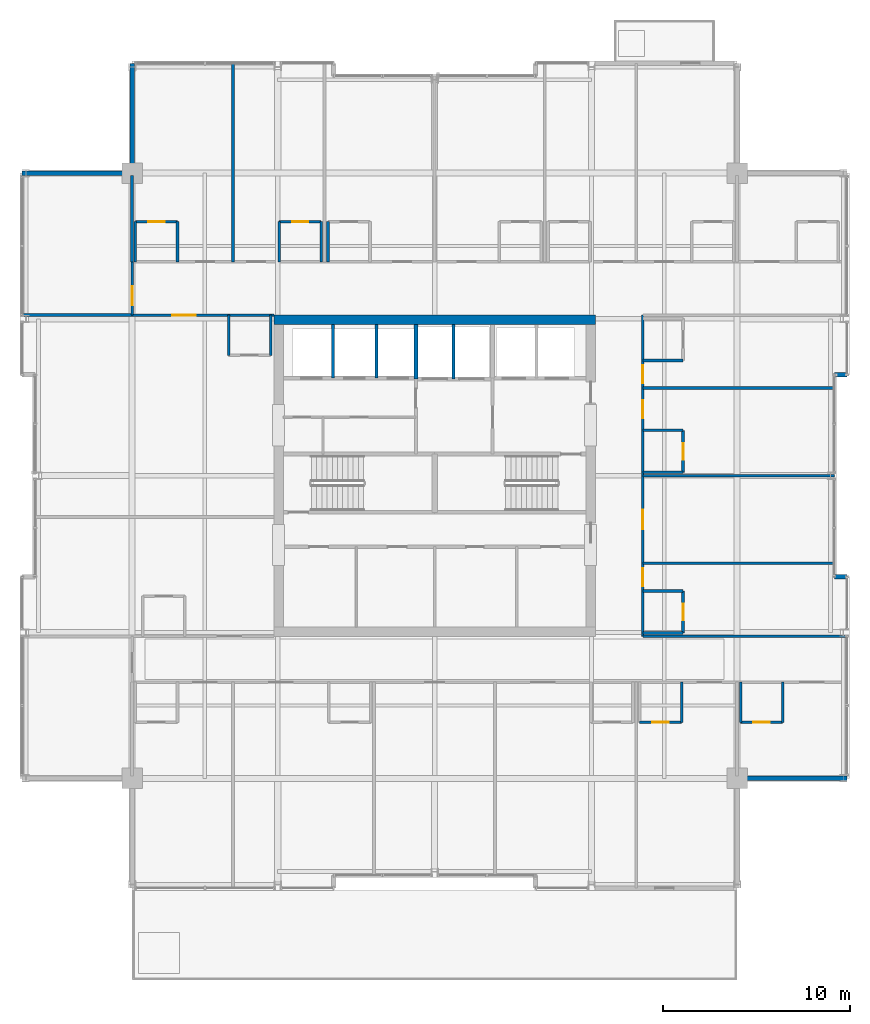
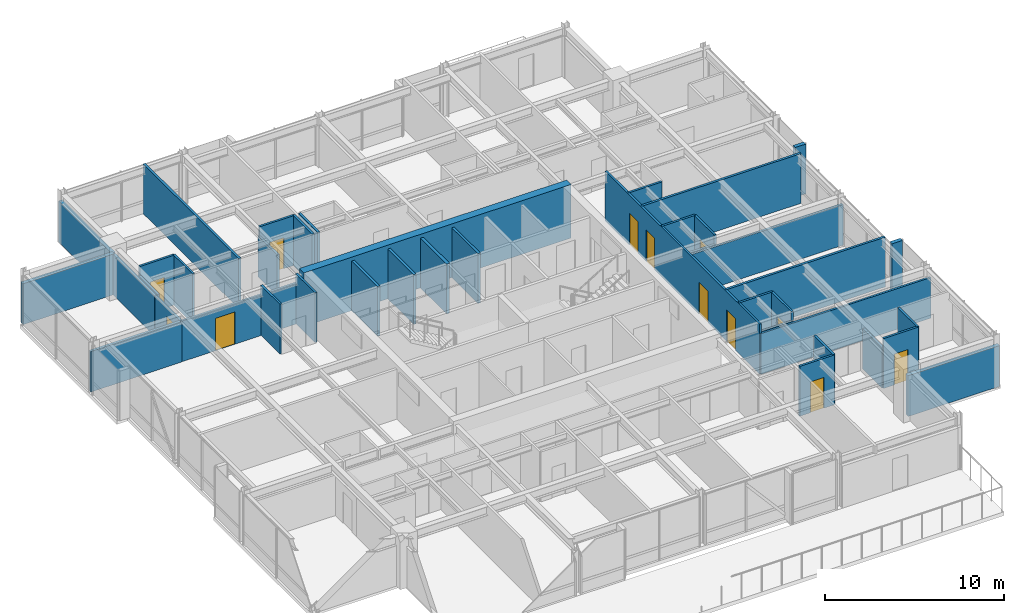
# One storey, part 27 of 32: 41 walls, 12 doors, 12 openings.
"""IFC4 building model written with IfcOpenShell, lengths in metres."""

from ifc_helpers import new_model, si_unit, direction, frame, frame_2d, origin, place, context, subcontext, project, spatial, rectangle, extrude, material, layer, layer_set, type_object, element, fill, save


model = new_model("IFC4")

# Units and contexts
model_context = context("Model", 3, precision=1e-05, world=origin(), true_north=direction((0.0, 1.0)))
body_context = subcontext(model_context, "Body", "Model", "MODEL_VIEW")
ifc_project = project(units=[si_unit("LENGTHUNIT", "METRE"), si_unit("AREAUNIT", "SQUARE_METRE"), si_unit("VOLUMEUNIT", "CUBIC_METRE"), si_unit("PLANEANGLEUNIT", "RADIAN"), si_unit("MASSUNIT", "GRAM", prefix="KILO")], contexts=[model_context])

# Site, building, storey
site_placement = place(None, origin())
site = spatial("IfcSite", under=ifc_project, at=site_placement, CompositionType="ELEMENT")
building_placement = place(site_placement, origin())
building = spatial("IfcBuilding", under=site, at=building_placement, Name="Drelvath Grand Hotel", CompositionType="ELEMENT")
storey_placement = place(building_placement, frame((0.0, 0.0, 265.0)))
storey = spatial("IfcBuildingStorey", under=building, at=storey_placement, Name="L69", CompositionType="ELEMENT", Elevation=265.0)

# Walls
ifc_material_1 = material(Name="Concrete C40/50", Category="concrete")
ifc_layer_1 = layer(ifc_material_1, 0.199951171875)
ifc_layer_set_1 = layer_set([ifc_layer_1], Name="Concrete C40/50")
wall_type_1 = type_object("IfcWallType", Name="Core Hoistway Fire Wall 200", PredefinedType="SOLIDWALL", material=ifc_layer_set_1)
wall_1_placement = place(storey_placement, frame((-1.0, 32.179931640625, 0.0), z_axis=(0.0, 0.0, 1.0), x_axis=(0.0, 1.0, 0.0)))
element("IfcWall", 1, at=wall_1_placement, inside=storey, type_object=wall_type_1, Name="L69 Service Lift West Wall", PredefinedType="SOLIDWALL", context=body_context, shape_type="SweptSolid", body=[
    extrude(rectangle(XDim=2.920166015625, YDim=0.199951171875, at=frame_2d((1.4599609375, 0.0))), origin(), (0.0, 0.0, 1.0), 3.389892578125),
])
ifc_material_2 = material(Name="Gypsum Fireboard Partition")
ifc_layer_2 = layer(ifc_material_2, 0.1650390625)
ifc_layer_set_2 = layer_set([ifc_layer_2], Name="Gypsum Fireboard Partition")
wall_type_2 = type_object("IfcWallType", Name="Core Shaft Partition 165", PredefinedType="PARTITIONING", material=ifc_layer_set_2)
wall_2_placement = place(storey_placement, frame((1.0, 32.179931640625, 0.0), z_axis=(0.0, 0.0, 1.0), x_axis=(0.0, 1.0, 0.0)))
element("IfcWall", 2, at=wall_2_placement, inside=storey, type_object=wall_type_2, Name="L69 Service Lift Divider", PredefinedType="PARTITIONING", context=body_context, shape_type="SweptSolid", body=[
    extrude(rectangle(XDim=2.920166015625, YDim=0.1650390625, at=frame_2d((1.4599609375, 0.0))), origin(), (0.0, 0.0, 1.0), 3.389892578125),
])
for number, where, z_axis, x_axis, name in (
    (3, (-5.43994140625, 32.219970703125, 0.0), (0.0, 0.0, 1.0), (0.0, 1.0, 0.0), "L69 Lift PE-7/8 Divider"),
    (4, (-3.1201171875, 32.219970703125, 0.0), (0.0, 0.0, 1.0), (0.0, 1.0, 0.0), "L69 Lift PE-8/9 Divider"),
):
    element("IfcWall", number, at=place(storey_placement, frame(where, z_axis=z_axis, x_axis=x_axis)), inside=storey, type_object=wall_type_2, Name=name, PredefinedType="PARTITIONING", context=body_context, shape_type="SweptSolid", body=[
        extrude(rectangle(XDim=2.880126953125, YDim=0.1650390625, at=frame_2d((1.43994140625, 0.0))), origin(), (0.0, 0.0, 1.0), 3.389892578125),
    ])
ifc_layer_3 = layer(ifc_material_2, 0.135009765625)
ifc_layer_set_3 = layer_set([ifc_layer_3], Name="Gypsum Fireboard Partition")
wall_type_3 = type_object("IfcWallType", Name="Corridor Fire Barrier Wall 135", PredefinedType="PARTITIONING", material=ifc_layer_set_3)
wall_3_placement = place(storey_placement, frame((11.14990234375, 18.39990234375, 0.0), z_axis=(0.0, 0.0, 1.0), x_axis=(1.0, 0.0, 0.0)))
element("IfcWall", 5, at=wall_3_placement, inside=storey, type_object=wall_type_3, Name="L69 South Gallery Inner East Wall", PredefinedType="PARTITIONING", context=body_context, shape_type="SweptSolid", body=[
    extrude(rectangle(XDim=10.93017578125, YDim=0.135009765625, at=frame_2d((5.465087890625, 0.0))), origin(), (0.0, 0.0, 1.0), 2.767333984375),
])

# Wall, opening, door
wall_4_placement = place(storey_placement, frame((-16.199951171875, 35.60009765625, 0.0), z_axis=(0.0, 0.0, 1.0), x_axis=(1.0, 0.0, 0.0)))
wall_4 = element("IfcWall", 6, at=wall_4_placement, inside=storey, type_object=wall_type_3, Name="L69 North Gallery Inner West Wall", PredefinedType="PARTITIONING", context=body_context, shape_type="SweptSolid", body=[
    extrude(rectangle(XDim=7.599853515625, YDim=0.135009765625, at=frame_2d((3.7998046875, 0.0))), origin(), (0.0, 0.0, 1.0), 2.767333984375),
])
opening_1_placement = place(wall_4_placement, frame((2.155029296875, 0.0, 0.0)))
opening_1 = element("IfcOpeningElement", 7, at=opening_1_placement, cuts=wall_4, Name="Opening D-T5G1-057", PredefinedType="OPENING", context=body_context, shape_type="SweptSolid", body=[
    extrude(rectangle(XDim=1.260009765625, YDim=2.199951171875, at=frame_2d((0.6298828125, 1.10009765625))), frame((0.0, 0.077392578125, 0.0), z_axis=(0.0, -1.0, 0.0), x_axis=(1.0, 0.0, 0.0)), (0.0, 0.0, 1.0), 0.155029296875),
])
ifc_material_3 = material(Name="Hardwood Walnut Timber", Category="wood")
door_type_1 = type_object("IfcDoorType", Name="Suite Entrance Fire Door 1260x2200", OperationType="NOTDEFINED", PredefinedType="DOOR", material=ifc_material_3)
door_1_placement = place(opening_1_placement, origin())
door_1 = element("IfcDoor", 8, at=door_1_placement, inside=storey, type_object=door_type_1, Name="L69 Royal Suite Entry Door", OperationType="SINGLE_SWING_RIGHT", OverallHeight=2.199951171875, OverallWidth=1.260009765625, PredefinedType="DOOR", context=body_context, shape_type="SweptSolid", body=[
    extrude(rectangle(XDim=1.260009765625, YDim=2.199951171875, at=frame_2d((0.6298828125, 1.10009765625))), frame((0.0, 0.02490234375, 0.0), z_axis=(0.0, -1.0, 0.0), x_axis=(1.0, 0.0, 0.0)), (0.0, 0.0, 1.0), 0.050048828125),
])
fill(opening_1, door_1)

# Wall, openings, doors
wall_5_placement = place(storey_placement, frame((11.14990234375, 18.39990234375, 0.0), z_axis=(0.0, 0.0, 1.0), x_axis=(0.0, 1.0, 0.0)))
wall_5 = element("IfcWall", 9, at=wall_5_placement, inside=storey, type_object=wall_type_3, Name="L69 East Gallery Link Wall", PredefinedType="PARTITIONING", context=body_context, shape_type="SweptSolid", body=[
    extrude(rectangle(XDim=17.2001953125, YDim=0.135009765625, at=frame_2d((8.60009765625, 0.0))), origin(), (0.0, 0.0, 1.0), 3.389892578125),
])
opening_2_placement = place(wall_5_placement, frame((2.689453125, 0.0, 0.0)))
opening_2 = element("IfcOpeningElement", 10, at=opening_2_placement, cuts=wall_5, Name="Opening D-T5G1-048", PredefinedType="OPENING", context=body_context, shape_type="SweptSolid", body=[
    extrude(rectangle(XDim=0.9599609375, YDim=2.14990234375, at=frame_2d((0.47998046875, 1.074951171875))), frame((0.0, 0.077392578125, 0.0), z_axis=(0.0, -1.0, 0.0), x_axis=(1.0, 0.0, 0.0)), (0.0, 0.0, 1.0), 0.155029296875),
])
opening_3_placement = place(wall_5_placement, frame((5.74462890625, 0.0, 0.0)))
opening_3 = element("IfcOpeningElement", 11, at=opening_3_placement, cuts=wall_5, Name="Opening D-T5G1-049", PredefinedType="OPENING", context=body_context, shape_type="SweptSolid", body=[
    extrude(rectangle(XDim=1.02001953125, YDim=2.14990234375, at=frame_2d((0.510009765625, 1.074951171875))), frame((0.0, 0.077392578125, 0.0), z_axis=(0.0, -1.0, 0.0), x_axis=(1.0, 0.0, 0.0)), (0.0, 0.0, 1.0), 0.155029296875),
])
opening_4_placement = place(wall_5_placement, frame((11.680419921875, 0.0, 0.0)))
opening_4 = element("IfcOpeningElement", 12, at=opening_4_placement, cuts=wall_5, Name="Opening D-T5G1-051", PredefinedType="OPENING", context=body_context, shape_type="SweptSolid", body=[
    extrude(rectangle(XDim=0.9599609375, YDim=2.14990234375, at=frame_2d((0.47998046875, 1.074951171875))), frame((0.0, 0.077392578125, 0.0), z_axis=(0.0, -1.0, 0.0), x_axis=(1.0, 0.0, 0.0)), (0.0, 0.0, 1.0), 0.155029296875),
])
opening_5_placement = place(wall_5_placement, frame((13.550537109375, 0.0, 0.0)))
opening_5 = element("IfcOpeningElement", 13, at=opening_5_placement, cuts=wall_5, Name="Opening D-T5G1-053", PredefinedType="OPENING", context=body_context, shape_type="SweptSolid", body=[
    extrude(rectangle(XDim=0.9599609375, YDim=2.14990234375, at=frame_2d((0.47998046875, 1.074951171875))), frame((0.0, 0.077392578125, 0.0), z_axis=(0.0, -1.0, 0.0), x_axis=(1.0, 0.0, 0.0)), (0.0, 0.0, 1.0), 0.155029296875),
])
door_type_2 = type_object("IfcDoorType", Name="Amenity Meeting Fire Door 1020x2150", OperationType="NOTDEFINED", PredefinedType="DOOR", material=ifc_material_3)
door_2_placement = place(opening_3_placement, origin())
door_2 = element("IfcDoor", 14, at=door_2_placement, inside=storey, type_object=door_type_2, Name="L69 Private Spa Treatment Room Entry Door", OperationType="SINGLE_SWING_RIGHT", OverallHeight=2.14990234375, OverallWidth=1.02001953125, PredefinedType="DOOR", context=body_context, shape_type="SweptSolid", body=[
    extrude(rectangle(XDim=1.02001953125, YDim=2.14990234375, at=frame_2d((0.510009765625, 1.074951171875))), frame((0.0, 0.02490234375, 0.0), z_axis=(0.0, -1.0, 0.0), x_axis=(1.0, 0.0, 0.0)), (0.0, 0.0, 1.0), 0.050048828125),
])
fill(opening_3, door_2)
door_type_3 = type_object("IfcDoorType", Name="Guestroom Entrance Fire Door 960x2150", OperationType="NOTDEFINED", PredefinedType="DOOR", material=ifc_material_3)
door_3_placement = place(opening_2_placement, origin())
door_3 = element("IfcDoor", 15, at=door_3_placement, inside=storey, type_object=door_type_3, Name="L69 King Guest Room Entry Door", OperationType="SINGLE_SWING_LEFT", OverallHeight=2.14990234375, OverallWidth=0.9599609375, PredefinedType="DOOR", context=body_context, shape_type="SweptSolid", body=[
    extrude(rectangle(XDim=0.9599609375, YDim=2.14990234375, at=frame_2d((0.47998046875, 1.074951171875))), frame((0.0, 0.02490234375, 0.0), z_axis=(0.0, -1.0, 0.0), x_axis=(1.0, 0.0, 0.0)), (0.0, 0.0, 1.0), 0.050048828125),
])
fill(opening_2, door_3)
door_4_placement = place(opening_4_placement, origin())
door_4 = element("IfcDoor", 16, at=door_4_placement, inside=storey, type_object=door_type_3, Name="L69 King Guest Room Entry Door", OperationType="SINGLE_SWING_RIGHT", OverallHeight=2.14990234375, OverallWidth=0.9599609375, PredefinedType="DOOR", context=body_context, shape_type="SweptSolid", body=[
    extrude(rectangle(XDim=0.9599609375, YDim=2.14990234375, at=frame_2d((0.47998046875, 1.074951171875))), frame((0.0, 0.02490234375, 0.0), z_axis=(0.0, -1.0, 0.0), x_axis=(1.0, 0.0, 0.0)), (0.0, 0.0, 1.0), 0.050048828125),
])
fill(opening_4, door_4)
door_5_placement = place(opening_5_placement, origin())
door_5 = element("IfcDoor", 17, at=door_5_placement, inside=storey, type_object=door_type_3, Name="L69 King Guest Room Entry Door", OperationType="SINGLE_SWING_RIGHT", OverallHeight=2.14990234375, OverallWidth=0.9599609375, PredefinedType="DOOR", context=body_context, shape_type="SweptSolid", body=[
    extrude(rectangle(XDim=0.9599609375, YDim=2.14990234375, at=frame_2d((0.47998046875, 1.074951171875))), frame((0.0, 0.02490234375, 0.0), z_axis=(0.0, -1.0, 0.0), x_axis=(1.0, 0.0, 0.0)), (0.0, 0.0, 1.0), 0.050048828125),
])
fill(opening_5, door_5)

# Wall, opening, door
wall_6_placement = place(storey_placement, frame((-16.199951171875, 35.60009765625, 0.0), z_axis=(0.0, 0.0, 1.0), x_axis=(0.0, 1.0, 0.0)))
wall_6 = element("IfcWall", 18, at=wall_6_placement, inside=storey, type_object=wall_type_3, Name="L69 North Gallery West End", PredefinedType="PARTITIONING", context=body_context, shape_type="SweptSolid", body=[
    extrude(rectangle(XDim=2.849853515625, YDim=0.135009765625, at=frame_2d((1.4248046875, 0.0))), origin(), (0.0, 0.0, 1.0), 2.763916015625),
])
opening_6_placement = place(wall_6_placement, frame((0.52001953125, 0.0, 0.0)))
opening_6 = element("IfcOpeningElement", 19, at=opening_6_placement, cuts=wall_6, Name="Opening D-T5G1-021", PredefinedType="OPENING", context=body_context, shape_type="SweptSolid", body=[
    extrude(rectangle(XDim=1.02001953125, YDim=2.14990234375, at=frame_2d((0.510009765625, 1.074951171875))), frame((0.0, 0.077392578125, 0.0), z_axis=(0.0, -1.0, 0.0), x_axis=(1.0, 0.0, 0.0)), (0.0, 0.0, 1.0), 0.155029296875),
])
door_6_placement = place(opening_6_placement, origin())
door_6 = element("IfcDoor", 20, at=door_6_placement, inside=storey, type_object=door_type_2, Name="L69 Corner Panorama Lounge Door", OperationType="SINGLE_SWING_RIGHT", OverallHeight=2.14990234375, OverallWidth=1.02001953125, PredefinedType="DOOR", context=body_context, shape_type="SweptSolid", body=[
    extrude(rectangle(XDim=1.02001953125, YDim=2.14990234375, at=frame_2d((0.510009765625, 1.074951171875))), frame((0.0, 0.02490234375, 0.0), z_axis=(0.0, -1.0, 0.0), x_axis=(1.0, 0.0, 0.0)), (0.0, 0.0, 1.0), 0.050048828125),
])
fill(opening_6, door_6)

# Walls
ifc_material_4 = material(Name="Moisture-Resistant Gypsum Board")
ifc_layer_4 = layer(ifc_material_4, 0.139892578125)
ifc_layer_set_4 = layer_set([ifc_layer_4], Name="Moisture-Resistant Gypsum Board")
wall_type_4 = type_object("IfcWallType", Name="En-Suite Plumbing Wall 140", PredefinedType="PLUMBINGWALL", material=ifc_layer_set_4)
wall_7_placement = place(storey_placement, frame((16.3798828125, 15.949951171875, 0.0), z_axis=(0.0, 0.0, 1.0), x_axis=(0.0, -1.0, 0.0)))
element("IfcWall", 21, at=wall_7_placement, inside=storey, type_object=wall_type_4, Name="L69 En-Suite Left Wall", PredefinedType="PLUMBINGWALL", context=body_context, shape_type="SweptSolid", body=[
    extrude(rectangle(XDim=2.14990234375, YDim=0.139892578125, at=frame_2d((1.074951171875, 0.0))), origin(), (0.0, 0.0, 1.0), 2.763916015625),
])
wall_8_placement = place(storey_placement, frame((18.6298828125, 15.949951171875, 0.0), z_axis=(0.0, 0.0, 1.0), x_axis=(0.0, -1.0, 0.0)))
element("IfcWall", 22, at=wall_8_placement, inside=storey, type_object=wall_type_4, Name="L69 En-Suite Right Wall", PredefinedType="PLUMBINGWALL", context=body_context, shape_type="SweptSolid", body=[
    extrude(rectangle(XDim=2.14990234375, YDim=0.139892578125, at=frame_2d((1.074951171875, 0.0))), origin(), (0.0, 0.0, 1.0), 3.389892578125),
])

# Wall, opening, door
wall_9_placement = place(storey_placement, frame((16.3798828125, 13.800048828125, 0.0), z_axis=(0.0, 0.0, 1.0), x_axis=(1.0, 0.0, 0.0)))
wall_9 = element("IfcWall", 23, at=wall_9_placement, inside=storey, type_object=wall_type_4, Name="L69 En-Suite Front Wall", PredefinedType="PLUMBINGWALL", context=body_context, shape_type="SweptSolid", body=[
    extrude(rectangle(XDim=2.25, YDim=0.139892578125, at=frame_2d((1.125, 0.0))), origin(), (0.0, 0.0, 1.0), 3.389892578125),
])
opening_7_placement = place(wall_9_placement, frame((0.68505859375, 0.0, 0.0)))
opening_7 = element("IfcOpeningElement", 24, at=opening_7_placement, cuts=wall_9, Name="Opening D-T5G1-022", PredefinedType="OPENING", context=body_context, shape_type="SweptSolid", body=[
    extrude(rectangle(XDim=0.8798828125, YDim=2.10009765625, at=frame_2d((0.43994140625, 1.050048828125))), frame((0.0, 0.079833984375, 0.0), z_axis=(0.0, -1.0, 0.0), x_axis=(1.0, 0.0, 0.0)), (0.0, 0.0, 1.0), 0.159912109375),
])
door_type_4 = type_object("IfcDoorType", Name="En-Suite Bathroom Door 880x2100", OperationType="NOTDEFINED", PredefinedType="DOOR", material=ifc_material_3)
door_7_placement = place(opening_7_placement, origin())
door_7 = element("IfcDoor", 25, at=door_7_placement, inside=storey, type_object=door_type_4, Name="L69 En-Suite Bathroom Door", OperationType="SINGLE_SWING_LEFT", OverallHeight=2.10009765625, OverallWidth=0.8798828125, PredefinedType="DOOR", context=body_context, shape_type="SweptSolid", body=[
    extrude(rectangle(XDim=0.8798828125, YDim=2.10009765625, at=frame_2d((0.43994140625, 1.050048828125))), frame((0.0, 0.02490234375, 0.0), z_axis=(0.0, -1.0, 0.0), x_axis=(1.0, 0.0, 0.0)), (0.0, 0.0, 1.0), 0.050048828125),
])
fill(opening_7, door_7)

# Wall
wall_10_placement = place(storey_placement, frame((13.22998046875, 15.949951171875, 0.0), z_axis=(0.0, 0.0, 1.0), x_axis=(0.0, -1.0, 0.0)))
element("IfcWall", 26, at=wall_10_placement, inside=storey, type_object=wall_type_4, Name="L69 En-Suite Right Wall", PredefinedType="PLUMBINGWALL", context=body_context, shape_type="SweptSolid", body=[
    extrude(rectangle(XDim=2.14990234375, YDim=0.139892578125, at=frame_2d((1.074951171875, 0.0))), origin(), (0.0, 0.0, 1.0), 3.389892578125),
])

# Wall, opening, door
wall_11_placement = place(storey_placement, frame((10.97998046875, 13.800048828125, 0.0), z_axis=(0.0, 0.0, 1.0), x_axis=(1.0, 0.0, 0.0)))
wall_11 = element("IfcWall", 27, at=wall_11_placement, inside=storey, type_object=wall_type_4, Name="L69 En-Suite Front Wall", PredefinedType="PLUMBINGWALL", context=body_context, shape_type="SweptSolid", body=[
    extrude(rectangle(XDim=2.25, YDim=0.139892578125, at=frame_2d((1.125, 0.0))), origin(), (0.0, 0.0, 1.0), 3.389892578125),
])
opening_8_placement = place(wall_11_placement, frame((0.68505859375, 0.0, 0.0)))
opening_8 = element("IfcOpeningElement", 28, at=opening_8_placement, cuts=wall_11, Name="Opening D-T5G1-033", PredefinedType="OPENING", context=body_context, shape_type="SweptSolid", body=[
    extrude(rectangle(XDim=0.8798828125, YDim=2.10009765625, at=frame_2d((0.43994140625, 1.050048828125))), frame((0.0, 0.079833984375, 0.0), z_axis=(0.0, -1.0, 0.0), x_axis=(1.0, 0.0, 0.0)), (0.0, 0.0, 1.0), 0.159912109375),
])
door_8_placement = place(opening_8_placement, origin())
door_8 = element("IfcDoor", 29, at=door_8_placement, inside=storey, type_object=door_type_4, Name="L69 En-Suite Bathroom Door", OperationType="SINGLE_SWING_RIGHT", OverallHeight=2.10009765625, OverallWidth=0.8798828125, PredefinedType="DOOR", context=body_context, shape_type="SweptSolid", body=[
    extrude(rectangle(XDim=0.8798828125, YDim=2.10009765625, at=frame_2d((0.43994140625, 1.050048828125))), frame((0.0, 0.02490234375, 0.0), z_axis=(0.0, -1.0, 0.0), x_axis=(1.0, 0.0, 0.0)), (0.0, 0.0, 1.0), 0.050048828125),
])
fill(opening_8, door_8)

# Walls
wall_12_placement = place(storey_placement, frame((-16.02001953125, 38.449951171875, 0.0), z_axis=(0.0, 0.0, 1.0), x_axis=(0.0, 1.0, 0.0)))
element("IfcWall", 30, at=wall_12_placement, inside=storey, type_object=wall_type_4, Name="L69 En-Suite Left Wall", PredefinedType="PLUMBINGWALL", context=body_context, shape_type="SweptSolid", body=[
    extrude(rectangle(XDim=2.150146484375, YDim=0.139892578125, at=frame_2d((1.0751953125, 0.0))), origin(), (0.0, 0.0, 1.0), 2.763916015625),
])
wall_13_placement = place(storey_placement, frame((-13.77001953125, 38.449951171875, 0.0), z_axis=(0.0, 0.0, 1.0), x_axis=(0.0, 1.0, 0.0)))
element("IfcWall", 31, at=wall_13_placement, inside=storey, type_object=wall_type_4, Name="L69 En-Suite Right Wall", PredefinedType="PLUMBINGWALL", context=body_context, shape_type="SweptSolid", body=[
    extrude(rectangle(XDim=2.150146484375, YDim=0.139892578125, at=frame_2d((1.0751953125, 0.0))), origin(), (0.0, 0.0, 1.0), 3.389892578125),
])

# Wall, opening, door
wall_14_placement = place(storey_placement, frame((-16.02001953125, 40.60009765625, 0.0), z_axis=(0.0, 0.0, 1.0), x_axis=(1.0, 0.0, 0.0)))
wall_14 = element("IfcWall", 32, at=wall_14_placement, inside=storey, type_object=wall_type_4, Name="L69 En-Suite Front Wall", PredefinedType="PLUMBINGWALL", context=body_context, shape_type="SweptSolid", body=[
    extrude(rectangle(XDim=2.25, YDim=0.139892578125, at=frame_2d((1.125, 0.0))), origin(), (0.0, 0.0, 1.0), 3.389892578125),
])
opening_9_placement = place(wall_14_placement, frame((0.68505859375, 0.0, 0.0)))
opening_9 = element("IfcOpeningElement", 33, at=opening_9_placement, cuts=wall_14, Name="Opening D-T5G1-035", PredefinedType="OPENING", context=body_context, shape_type="SweptSolid", body=[
    extrude(rectangle(XDim=0.8798828125, YDim=2.10009765625, at=frame_2d((0.43994140625, 1.050048828125))), frame((0.0, 0.079833984375, 0.0), z_axis=(0.0, -1.0, 0.0), x_axis=(1.0, 0.0, 0.0)), (0.0, 0.0, 1.0), 0.159912109375),
])
door_9_placement = place(opening_9_placement, origin())
door_9 = element("IfcDoor", 34, at=door_9_placement, inside=storey, type_object=door_type_4, Name="L69 En-Suite Bathroom Door", OperationType="SINGLE_SWING_RIGHT", OverallHeight=2.10009765625, OverallWidth=0.8798828125, PredefinedType="DOOR", context=body_context, shape_type="SweptSolid", body=[
    extrude(rectangle(XDim=0.8798828125, YDim=2.10009765625, at=frame_2d((0.43994140625, 1.050048828125))), frame((0.0, 0.02490234375, 0.0), z_axis=(0.0, -1.0, 0.0), x_axis=(1.0, 0.0, 0.0)), (0.0, 0.0, 1.0), 0.050048828125),
])
fill(opening_9, door_9)

# Walls
wall_15_placement = place(storey_placement, frame((-8.32080078125, 38.449951171875, 0.0), z_axis=(0.0, 0.0, 1.0), x_axis=(0.0, 1.0, 0.0)))
element("IfcWall", 35, at=wall_15_placement, inside=storey, type_object=wall_type_4, Name="L69 En-Suite Left Wall", PredefinedType="PLUMBINGWALL", context=body_context, shape_type="SweptSolid", body=[
    extrude(rectangle(XDim=2.150146484375, YDim=0.139892578125, at=frame_2d((1.0751953125, 0.0))), origin(), (0.0, 0.0, 1.0), 2.767333984375),
])
wall_16_placement = place(storey_placement, frame((-6.07080078125, 38.449951171875, 0.0), z_axis=(0.0, 0.0, 1.0), x_axis=(0.0, 1.0, 0.0)))
element("IfcWall", 36, at=wall_16_placement, inside=storey, type_object=wall_type_4, Name="L69 En-Suite Right Wall", PredefinedType="PLUMBINGWALL", context=body_context, shape_type="SweptSolid", body=[
    extrude(rectangle(XDim=2.150146484375, YDim=0.139892578125, at=frame_2d((1.0751953125, 0.0))), origin(), (0.0, 0.0, 1.0), 3.389892578125),
])

# Wall, opening, door
wall_17_placement = place(storey_placement, frame((-8.32080078125, 40.60009765625, 0.0), z_axis=(0.0, 0.0, 1.0), x_axis=(1.0, 0.0, 0.0)))
wall_17 = element("IfcWall", 37, at=wall_17_placement, inside=storey, type_object=wall_type_4, Name="L69 En-Suite Front Wall", PredefinedType="PLUMBINGWALL", context=body_context, shape_type="SweptSolid", body=[
    extrude(rectangle(XDim=2.25, YDim=0.139892578125, at=frame_2d((1.125, 0.0))), origin(), (0.0, 0.0, 1.0), 3.389892578125),
])
opening_10_placement = place(wall_17_placement, frame((0.68505859375, 0.0, 0.0)))
opening_10 = element("IfcOpeningElement", 38, at=opening_10_placement, cuts=wall_17, Name="Opening D-T5G1-037", PredefinedType="OPENING", context=body_context, shape_type="SweptSolid", body=[
    extrude(rectangle(XDim=0.8798828125, YDim=2.10009765625, at=frame_2d((0.43994140625, 1.050048828125))), frame((0.0, 0.079833984375, 0.0), z_axis=(0.0, -1.0, 0.0), x_axis=(1.0, 0.0, 0.0)), (0.0, 0.0, 1.0), 0.159912109375),
])
door_10_placement = place(opening_10_placement, origin())
door_10 = element("IfcDoor", 39, at=door_10_placement, inside=storey, type_object=door_type_4, Name="L69 En-Suite Bathroom Door", OperationType="SINGLE_SWING_RIGHT", OverallHeight=2.10009765625, OverallWidth=0.8798828125, PredefinedType="DOOR", context=body_context, shape_type="SweptSolid", body=[
    extrude(rectangle(XDim=0.8798828125, YDim=2.10009765625, at=frame_2d((0.43994140625, 1.050048828125))), frame((0.0, 0.02490234375, 0.0), z_axis=(0.0, -1.0, 0.0), x_axis=(1.0, 0.0, 0.0)), (0.0, 0.0, 1.0), 0.050048828125),
])
fill(opening_10, door_10)

# Walls
wall_18_placement = place(storey_placement, frame((-5.7109375, 38.449951171875, 0.0), z_axis=(0.0, 0.0, 1.0), x_axis=(0.0, 1.0, 0.0)))
element("IfcWall", 40, at=wall_18_placement, inside=storey, type_object=wall_type_4, Name="L69 En-Suite Left Wall", PredefinedType="PLUMBINGWALL", context=body_context, shape_type="SweptSolid", body=[
    extrude(rectangle(XDim=2.150146484375, YDim=0.139892578125, at=frame_2d((1.0751953125, 0.0))), origin(), (0.0, 0.0, 1.0), 3.389892578125),
])
wall_19_placement = place(storey_placement, frame((11.14990234375, 18.580078125, 0.0), z_axis=(0.0, 0.0, 1.0), x_axis=(1.0, 0.0, 0.0)))
element("IfcWall", 41, at=wall_19_placement, inside=storey, type_object=wall_type_4, Name="L69 En-Suite Left Wall", PredefinedType="PLUMBINGWALL", context=body_context, shape_type="SweptSolid", body=[
    extrude(rectangle(XDim=2.150146484375, YDim=0.139892578125, at=frame_2d((1.0751953125, 0.0))), origin(), (0.0, 0.0, 1.0), 2.767333984375),
])
wall_20_placement = place(storey_placement, frame((11.14990234375, 20.830078125, 0.0), z_axis=(0.0, 0.0, 1.0), x_axis=(1.0, 0.0, 0.0)))
element("IfcWall", 42, at=wall_20_placement, inside=storey, type_object=wall_type_4, Name="L69 En-Suite Right Wall", PredefinedType="PLUMBINGWALL", context=body_context, shape_type="SweptSolid", body=[
    extrude(rectangle(XDim=2.150146484375, YDim=0.139892578125, at=frame_2d((1.0751953125, 0.0))), origin(), (0.0, 0.0, 1.0), 3.389892578125),
])

# Wall, opening, door
wall_21_placement = place(storey_placement, frame((13.300048828125, 18.580078125, 0.0), z_axis=(0.0, 0.0, 1.0), x_axis=(0.0, 1.0, 0.0)))
wall_21 = element("IfcWall", 43, at=wall_21_placement, inside=storey, type_object=wall_type_4, Name="L69 En-Suite Front Wall", PredefinedType="PLUMBINGWALL", context=body_context, shape_type="SweptSolid", body=[
    extrude(rectangle(XDim=2.25, YDim=0.139892578125, at=frame_2d((1.125, 0.0))), origin(), (0.0, 0.0, 1.0), 3.389892578125),
])
opening_11_placement = place(wall_21_placement, frame((0.68505859375, 0.0, 0.0)))
opening_11 = element("IfcOpeningElement", 44, at=opening_11_placement, cuts=wall_21, Name="Opening D-T5G1-047", PredefinedType="OPENING", context=body_context, shape_type="SweptSolid", body=[
    extrude(rectangle(XDim=0.8798828125, YDim=2.10009765625, at=frame_2d((0.43994140625, 1.050048828125))), frame((0.0, 0.079833984375, 0.0), z_axis=(0.0, -1.0, 0.0), x_axis=(1.0, 0.0, 0.0)), (0.0, 0.0, 1.0), 0.159912109375),
])
door_11_placement = place(opening_11_placement, origin())
door_11 = element("IfcDoor", 45, at=door_11_placement, inside=storey, type_object=door_type_4, Name="L69 En-Suite Bathroom Door", OperationType="SINGLE_SWING_RIGHT", OverallHeight=2.10009765625, OverallWidth=0.8798828125, PredefinedType="DOOR", context=body_context, shape_type="SweptSolid", body=[
    extrude(rectangle(XDim=0.8798828125, YDim=2.10009765625, at=frame_2d((0.43994140625, 1.050048828125))), frame((0.0, 0.02490234375, 0.0), z_axis=(0.0, -1.0, 0.0), x_axis=(1.0, 0.0, 0.0)), (0.0, 0.0, 1.0), 0.050048828125),
])
fill(opening_11, door_11)

# Walls
wall_22_placement = place(storey_placement, frame((11.14990234375, 27.179931640625, 0.0), z_axis=(0.0, 0.0, 1.0), x_axis=(1.0, 0.0, 0.0)))
element("IfcWall", 46, at=wall_22_placement, inside=storey, type_object=wall_type_4, Name="L69 En-Suite Left Wall", PredefinedType="PLUMBINGWALL", context=body_context, shape_type="SweptSolid", body=[
    extrude(rectangle(XDim=2.150146484375, YDim=0.139892578125, at=frame_2d((1.0751953125, 0.0))), origin(), (0.0, 0.0, 1.0), 2.767333984375),
])
wall_23_placement = place(storey_placement, frame((11.14990234375, 29.429931640625, 0.0), z_axis=(0.0, 0.0, 1.0), x_axis=(1.0, 0.0, 0.0)))
element("IfcWall", 47, at=wall_23_placement, inside=storey, type_object=wall_type_4, Name="L69 En-Suite Right Wall", PredefinedType="PLUMBINGWALL", context=body_context, shape_type="SweptSolid", body=[
    extrude(rectangle(XDim=2.150146484375, YDim=0.139892578125, at=frame_2d((1.0751953125, 0.0))), origin(), (0.0, 0.0, 1.0), 3.389892578125),
])

# Wall, opening, door
wall_24_placement = place(storey_placement, frame((13.300048828125, 27.179931640625, 0.0), z_axis=(0.0, 0.0, 1.0), x_axis=(0.0, 1.0, 0.0)))
wall_24 = element("IfcWall", 48, at=wall_24_placement, inside=storey, type_object=wall_type_4, Name="L69 En-Suite Front Wall", PredefinedType="PLUMBINGWALL", context=body_context, shape_type="SweptSolid", body=[
    extrude(rectangle(XDim=2.25, YDim=0.139892578125, at=frame_2d((1.125, 0.0))), origin(), (0.0, 0.0, 1.0), 3.389892578125),
])
opening_12_placement = place(wall_24_placement, frame((0.68505859375, 0.0, 0.0)))
opening_12 = element("IfcOpeningElement", 49, at=opening_12_placement, cuts=wall_24, Name="Opening D-T5G1-050", PredefinedType="OPENING", context=body_context, shape_type="SweptSolid", body=[
    extrude(rectangle(XDim=0.8798828125, YDim=2.10009765625, at=frame_2d((0.43994140625, 1.050048828125))), frame((0.0, 0.079833984375, 0.0), z_axis=(0.0, -1.0, 0.0), x_axis=(1.0, 0.0, 0.0)), (0.0, 0.0, 1.0), 0.159912109375),
])
door_12_placement = place(opening_12_placement, origin())
door_12 = element("IfcDoor", 50, at=door_12_placement, inside=storey, type_object=door_type_4, Name="L69 En-Suite Bathroom Door", OperationType="SINGLE_SWING_LEFT", OverallHeight=2.10009765625, OverallWidth=0.8798828125, PredefinedType="DOOR", context=body_context, shape_type="SweptSolid", body=[
    extrude(rectangle(XDim=0.8798828125, YDim=2.10009765625, at=frame_2d((0.43994140625, 1.050048828125))), frame((0.0, 0.02490234375, 0.0), z_axis=(0.0, -1.0, 0.0), x_axis=(1.0, 0.0, 0.0)), (0.0, 0.0, 1.0), 0.050048828125),
])
fill(opening_12, door_12)

# Walls
for number, where, z_axis, x_axis, name in (
    (51, (11.14990234375, 33.169921875, 0.0), (0.0, 0.0, 1.0), (1.0, 0.0, 0.0), "L69 En-Suite Left Wall"),
    (52, (-11.030029296875, 35.60009765625, 0.0), (0.0, 0.0, 1.0), (0.0, -1.0, 0.0), "L69 En-Suite Left Wall"),
    (53, (-8.780029296875, 35.60009765625, 0.0), (0.0, 0.0, 1.0), (0.0, -1.0, 0.0), "L69 En-Suite Right Wall"),
):
    element("IfcWall", number, at=place(storey_placement, frame(where, z_axis=z_axis, x_axis=x_axis)), inside=storey, type_object=wall_type_4, Name=name, PredefinedType="PLUMBINGWALL", context=body_context, shape_type="SweptSolid", body=[
        extrude(rectangle(XDim=2.150146484375, YDim=0.139892578125, at=frame_2d((1.0751953125, 0.0))), origin(), (0.0, 0.0, 1.0), 3.389892578125),
    ])
ifc_material_5 = material(Name="Gypsum Acoustic Partition")
ifc_layer_5 = layer(ifc_material_5, 0.14990234375)
ifc_layer_set_5 = layer_set([ifc_layer_5], Name="Gypsum Acoustic Partition")
wall_type_5 = type_object("IfcWallType", Name="Guestroom Demising Wall 150", PredefinedType="PARTITIONING", material=ifc_layer_set_5)
wall_25_placement = place(storey_placement, frame((-10.800048828125, 38.449951171875, 0.0), z_axis=(0.0, 0.0, 1.0), x_axis=(0.0, 1.0, 0.0)))
element("IfcWall", 54, at=wall_25_placement, inside=storey, type_object=wall_type_5, Name="L69 North Demising 1", PredefinedType="PARTITIONING", context=body_context, shape_type="SweptSolid", body=[
    extrude(rectangle(XDim=10.630126953125, YDim=0.14990234375, at=frame_2d((5.31494140625, 0.0))), origin(), (0.0, 0.0, 1.0), 3.389892578125),
])
wall_26_placement = place(storey_placement, frame((11.14990234375, 22.30908203125, 0.0), z_axis=(0.0, 0.0, 1.0), x_axis=(1.0, 0.0, 0.0)))
element("IfcWall", 55, at=wall_26_placement, inside=storey, type_object=wall_type_5, Name="L69 East Demising 1", PredefinedType="PARTITIONING", context=body_context, shape_type="SweptSolid", body=[
    extrude(rectangle(XDim=10.25, YDim=0.14990234375, at=frame_2d((5.125, 0.0))), origin(), (0.0, 0.0, 1.0), 3.389892578125),
])
wall_27_placement = place(storey_placement, frame((11.14990234375, 27.0, 0.0), z_axis=(0.0, 0.0, 1.0), x_axis=(1.0, 0.0, 0.0)))
element("IfcWall", 56, at=wall_27_placement, inside=storey, type_object=wall_type_5, Name="L69 East Demising 2", PredefinedType="PARTITIONING", context=body_context, shape_type="SweptSolid", body=[
    extrude(rectangle(XDim=10.25, YDim=0.14990234375, at=frame_2d((5.125, 0.0))), origin(), (0.0, 0.0, 1.0), 2.767333984375),
])
wall_28_placement = place(storey_placement, frame((11.14990234375, 31.69091796875, 0.0), z_axis=(0.0, 0.0, 1.0), x_axis=(1.0, 0.0, 0.0)))
element("IfcWall", 57, at=wall_28_placement, inside=storey, type_object=wall_type_5, Name="L69 East Demising 3", PredefinedType="PARTITIONING", context=body_context, shape_type="SweptSolid", body=[
    extrude(rectangle(XDim=10.25, YDim=0.14990234375, at=frame_2d((5.125, 0.0))), origin(), (0.0, 0.0, 1.0), 3.389892578125),
])
ifc_layer_6 = layer(ifc_material_5, 0.1650390625)
ifc_layer_set_6 = layer_set([ifc_layer_6], Name="Gypsum Acoustic Partition")
wall_type_6 = type_object("IfcWallType", Name="Suite Demising Wall 165", PredefinedType="PARTITIONING", material=ifc_layer_set_6)
wall_29_placement = place(storey_placement, frame((-16.199951171875, 38.449951171875, 0.0), z_axis=(0.0, 0.0, 1.0), x_axis=(0.0, 1.0, 0.0)))
element("IfcWall", 58, at=wall_29_placement, inside=storey, type_object=wall_type_6, Name="L69 NW Suite Wall", PredefinedType="PARTITIONING", context=body_context, shape_type="SweptSolid", body=[
    extrude(rectangle(XDim=4.630126953125, YDim=0.1650390625, at=frame_2d((2.31494140625, 0.0))), origin(), (0.0, 0.0, 1.0), 2.763916015625),
])
wall_30_placement = place(storey_placement, frame((-22.080078125, 35.60009765625, 0.0), z_axis=(0.0, 0.0, 1.0), x_axis=(1.0, 0.0, 0.0)))
element("IfcWall", 59, at=wall_30_placement, inside=storey, type_object=wall_type_6, Name="L69 NW Corner South Wall", PredefinedType="PARTITIONING", context=body_context, shape_type="SweptSolid", body=[
    extrude(rectangle(XDim=5.880126953125, YDim=0.1650390625, at=frame_2d((2.93994140625, 0.0))), origin(), (0.0, 0.0, 1.0), 2.763916015625),
])
ifc_material_6 = material(Name="Pale-Metal Insulated Aluminium Spandrel Assembly", Category="aluminium")
ifc_layer_7 = layer(ifc_material_6, 0.239990234375)
ifc_layer_set_7 = layer_set([ifc_layer_7], Name="Pale-Metal Insulated Aluminium Spandrel Assembly")
wall_type_7 = type_object("IfcWallType", Name="Tower Insulated Metal Spandrel Closure Wall 240", PredefinedType="STANDARD", material=ifc_layer_set_7)
for number, where, z_axis, x_axis, name in (
    (60, (-22.080078125, 43.199951171875, 0.0), (0.0, 0.0, 1.0), (1.0, 0.0, 0.0), "L69 Notched Corner Return Spandrel Wall CNW1"),
    (61, (-16.199951171875, 43.199951171875, 0.0), (0.0, 0.0, 1.0), (0.0, 1.0, 0.0), "L69 Notched Corner Return Spandrel Wall CNW2"),
    (62, (22.080078125, 10.800048828125, 0.0), (0.0, 0.0, 1.0), (-1.0, 0.0, 0.0), "L69 Notched Corner Return Spandrel Wall CSE1"),
):
    element("IfcWall", number, at=place(storey_placement, frame(where, z_axis=z_axis, x_axis=x_axis)), inside=storey, type_object=wall_type_7, Name=name, PredefinedType="STANDARD", context=body_context, shape_type="SweptSolid", body=[
        extrude(rectangle(XDim=5.880126953125, YDim=0.239990234375, at=frame_2d((2.93994140625, 0.0))), origin(), (0.0, 0.0, 1.0), 2.779052734375),
    ])
for number, where, z_axis, x_axis, name in (
    (63, (22.080078125, 32.39990234375, 0.0), (0.0, 0.0, 1.0), (-1.0, 0.0, 0.0), "L69 Notched Corner Return Spandrel Wall RE1"),
    (64, (21.39990234375, 21.60009765625, 0.0), (0.0, 0.0, 1.0), (1.0, 0.0, 0.0), "L69 Notched Corner Return Spandrel Wall RE2"),
):
    element("IfcWall", number, at=place(storey_placement, frame(where, z_axis=z_axis, x_axis=x_axis)), inside=storey, type_object=wall_type_7, Name=name, PredefinedType="STANDARD", context=body_context, shape_type="SweptSolid", body=[
        extrude(rectangle(XDim=0.68017578125, YDim=0.239990234375, at=frame_2d((0.340087890625, 0.0))), origin(), (0.0, 0.0, 1.0), 3.389892578125),
    ])
ifc_material_7 = material(Name="Concrete f'c 55 MPa", Category="concrete")
ifc_layer_8 = layer(ifc_material_7, 0.5)
ifc_layer_set_8 = layer_set([ifc_layer_8], Name="Concrete f'c 55 MPa")
wall_type_8 = type_object("IfcWallType", Name="Upper Core RC Shear Wall 500", PredefinedType="SHEAR", material=ifc_layer_set_8)
wall_31_placement = place(storey_placement, frame((-8.60009765625, 35.35009765625, 0.0), z_axis=(0.0, 0.0, 1.0), x_axis=(1.0, 0.0, 0.0)))
element("IfcWall", 65, at=wall_31_placement, inside=storey, type_object=wall_type_8, Name="L69 Central Core Shear Wall N", PredefinedType="SHEAR", context=body_context, shape_type="SweptSolid", body=[
    extrude(rectangle(XDim=17.2001953125, YDim=0.5, at=frame_2d((8.60009765625, 0.0))), origin(), (0.0, 0.0, 1.0), 3.64990234375),
])

save(model, "model.ifc")
